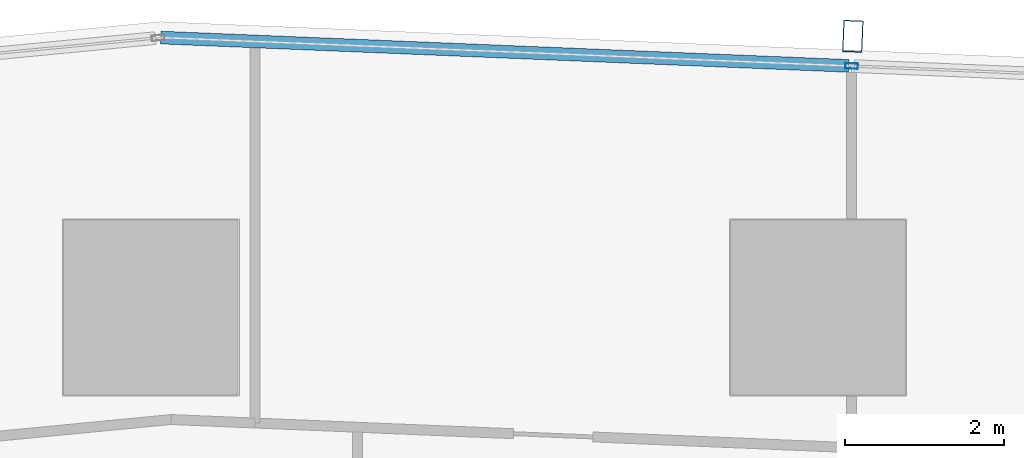
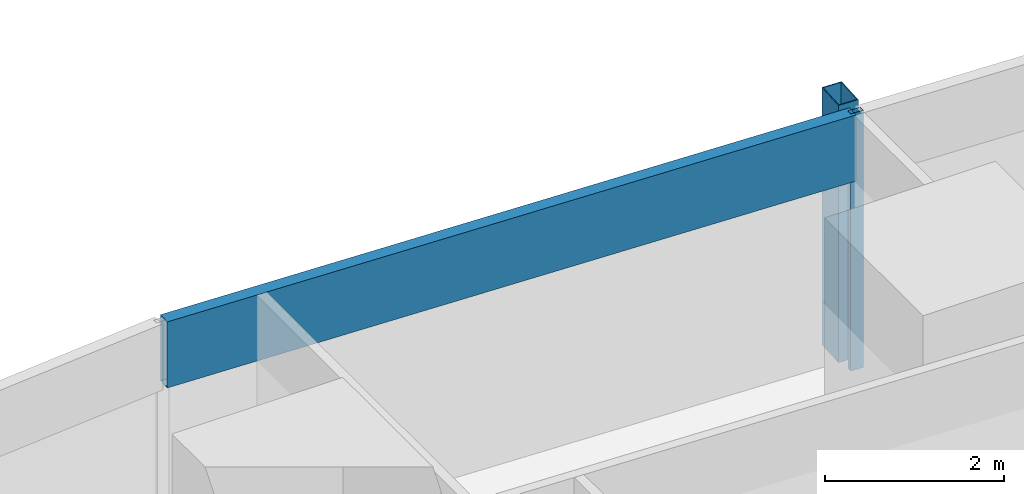
# One storey, part 18 of 44: 3 members, 1 element without a shape of its own.
"""IFC4 building model written with IfcOpenShell, lengths in metres."""

from ifc_helpers import new_model, si_unit, direction, frame, origin, origin_2d, place, context, subcontext, project, spatial, hollow_rectangle, extrude, material, material_profile, profile_set, type_object, element, aggregate, save


model = new_model("IFC4")

# Units and contexts
model_context = context("Model", 3, precision=1e-05, world=origin(), true_north=direction((0.0, 1.0)))
body_context = subcontext(model_context, "Body", "Model", "MODEL_VIEW")
ifc_project = project(units=[si_unit("LENGTHUNIT", "METRE"), si_unit("AREAUNIT", "SQUARE_METRE"), si_unit("VOLUMEUNIT", "CUBIC_METRE"), si_unit("PLANEANGLEUNIT", "RADIAN"), si_unit("MASSUNIT", "GRAM", prefix="KILO")], contexts=[model_context])

# Site, building, storey
site_placement = place(None, origin())
site = spatial("IfcSite", under=ifc_project, at=site_placement, CompositionType="ELEMENT")
building_placement = place(site_placement, origin())
building = spatial("IfcBuilding", under=site, at=building_placement, Name="Rekha Terrace Tower", CompositionType="ELEMENT")
storey_placement = place(building_placement, frame((0.0, 0.0, 47.89990234375)))
storey = spatial("IfcBuildingStorey", under=building, at=storey_placement, Name="L11", CompositionType="ELEMENT", Elevation=47.89990234375)

# Curtain wall, members
ifc_material_1 = material(Name="Aluminium framing", Category="aluminium")
curtain_wall_type = type_object("IfcCurtainWallType", Name="CW3 north unitised glazing", PredefinedType="USERDEFINED", material=ifc_material_1)
curtain_wall_placement = place(storey_placement, origin())
curtain_wall = element("IfcCurtainWall", 1, at=curtain_wall_placement, inside=storey, type_object=curtain_wall_type, Name="CW3 unitised curtain wall", ObjectType="UNITISED CURTAIN WALL", PredefinedType="USERDEFINED")
ifc_material_2 = material(Name="Steel S355 with fluorocarbon finish", Category="steel")
ifc_material_profile_1 = material_profile(ifc_material_2, hollow_rectangle(XDim=0.25, YDim=0.39990234375, WallThickness=0.012451171875, at=origin_2d()), Name="RHS400x250x12.5")
ifc_profile_set_1 = profile_set([ifc_material_profile_1], Name="Steel S355 with fluorocarbon finish")
member_type_1 = type_object("IfcMemberType", Name="BL1 facade blade RHS 400 x 250", PredefinedType="USERDEFINED", material=ifc_profile_set_1)
member_1_placement = place(storey_placement, frame((34.037353515625, 62.2158203125, 0.0), z_axis=(0.0, 0.0, 1.0), x_axis=(-0.99915196507, 0.041174636562, 0.0)))
member_1 = element("IfcMember", 2, at=member_1_placement, type_object=member_type_1, Name="Facade blade", ObjectType="FACADE BLADE", PredefinedType="USERDEFINED", context=body_context, shape_type="SweptSolid", body=[
    extrude(hollow_rectangle(XDim=0.25, YDim=0.39990234375, WallThickness=0.012451171875, at=origin_2d()), origin(), (0.0, 0.0, 1.0), 3.5),
])
ifc_material_3 = material(Name="Aluminium mullion section", Category="aluminium")
ifc_material_profile_2 = material_profile(ifc_material_3, hollow_rectangle(XDim=0.070068359375, YDim=0.159912109375, WallThickness=0.00390625, at=origin_2d()), Name="AL RHS 70x160")
ifc_profile_set_2 = profile_set([ifc_material_profile_2], Name="Aluminium mullion section")
member_type_2 = type_object("IfcMemberType", Name="CW3 mullion RHS 70 x 160", PredefinedType="MULLION", material=ifc_profile_set_2)
member_2_placement = place(storey_placement, frame((34.02197265625, 61.84130859375, 0.0), z_axis=(0.0, 0.0, 1.0), x_axis=(-0.041173846041, -0.999151997647, 0.0)))
member_2 = element("IfcMember", 3, at=member_2_placement, type_object=member_type_2, Name="CW3 mullion 5", PredefinedType="MULLION", context=body_context, shape_type="SweptSolid", body=[
    extrude(hollow_rectangle(XDim=0.070068359375, YDim=0.159912109375, WallThickness=0.00390625, at=origin_2d()), origin(), (0.0, 0.0, 1.0), 3.5),
])
ifc_material_4 = material(Name="Insulated aluminium spandrel box", Category="aluminium")
ifc_material_profile_3 = material_profile(ifc_material_4, hollow_rectangle(XDim=0.159912109375, YDim=0.89990234375, WallThickness=0.0029296875, at=origin_2d()), Name="AL SPANDREL BOX 160x900")
ifc_profile_set_3 = profile_set([ifc_material_profile_3], Name="Insulated aluminium spandrel box")
member_type_3 = type_object("IfcMemberType", Name="CW3 spandrel transom 160 x 900", PredefinedType="USERDEFINED", material=ifc_profile_set_3)
member_3_placement = place(storey_placement, frame((33.987060546875, 61.8427734375, 3.050048828125), z_axis=(-0.999152004012, 0.04117369158, 0.0), x_axis=(-0.04117369158, -0.999152004012, 0.0)))
member_3 = element("IfcMember", 4, at=member_3_placement, type_object=member_type_3, Name="CW3 spandrel transom 5", ObjectType="TRANSOM", PredefinedType="USERDEFINED", context=body_context, shape_type="SweptSolid", body=[
    extrude(hollow_rectangle(XDim=0.159912109375, YDim=0.89990234375, WallThickness=0.0029296875, at=origin_2d()), origin(), (0.0, 0.0, 1.0), 8.6689453125),
])
aggregate(curtain_wall, [member_2, member_3, member_1])

save(model, "model.ifc")
